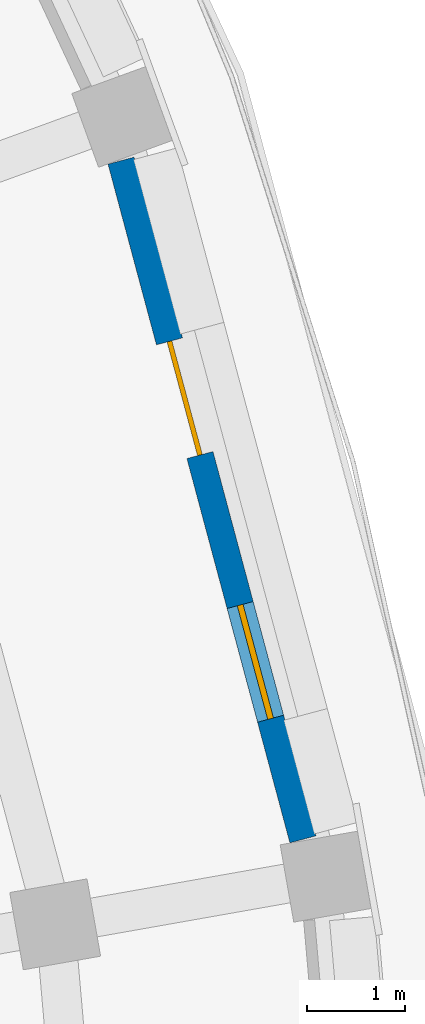
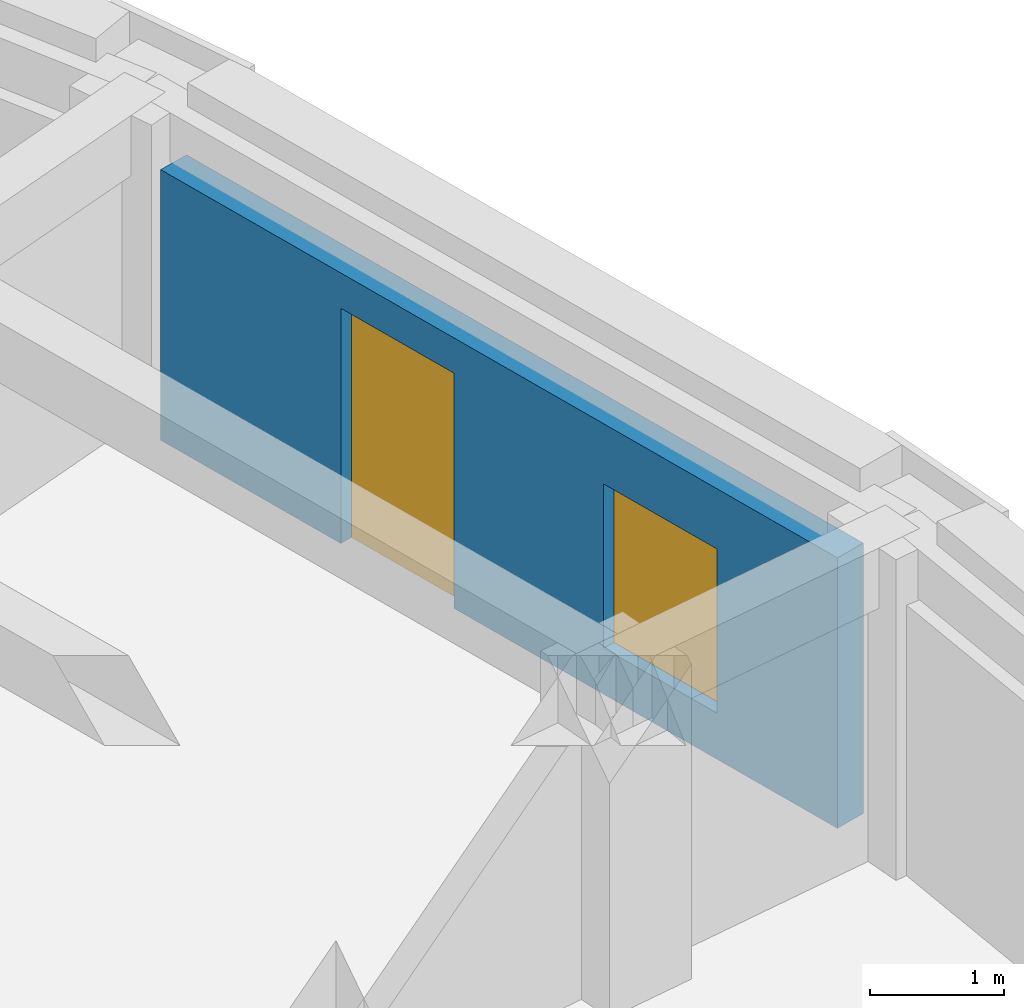
# One storey, part 34 of 54: 1 door, 1 wall, 1 window, 2 openings.
"""IFC4 building model written with IfcOpenShell, lengths in metres."""

from ifc_helpers import new_model, si_unit, direction, frame, frame_2d, origin, place, context, subcontext, project, spatial, rectangle, extrude, material, layer, layer_set, type_object, element, fill, save


model = new_model("IFC4")

# Units and contexts
model_context = context("Model", 3, precision=1e-05, world=origin(), true_north=direction((0.0, 1.0)))
body_context = subcontext(model_context, "Body", "Model", "MODEL_VIEW")
ifc_project = project(units=[si_unit("LENGTHUNIT", "METRE"), si_unit("AREAUNIT", "SQUARE_METRE"), si_unit("VOLUMEUNIT", "CUBIC_METRE"), si_unit("PLANEANGLEUNIT", "RADIAN"), si_unit("MASSUNIT", "GRAM", prefix="KILO")], contexts=[model_context])

# Site, building, storey
site_placement = place(None, origin())
site = spatial("IfcSite", under=ifc_project, at=site_placement, CompositionType="ELEMENT")
building_placement = place(site_placement, origin())
building = spatial("IfcBuilding", under=site, at=building_placement, Name="Kiranvali Square Residences", CompositionType="ELEMENT")
storey_placement = place(building_placement, frame((0.0, 0.0, 15.0)))
storey = spatial("IfcBuildingStorey", under=building, at=storey_placement, Name="L04", CompositionType="ELEMENT", Elevation=15.0)

# Wall, openings, door, window
ifc_material_1 = material(Name="Breathable lime-rendered clay brick masonry", Category="masonry")
ifc_layer = layer(ifc_material_1, 0.27490234375)
ifc_layer_set = layer_set([ifc_layer], Name="Breathable lime-rendered clay brick masonry")
wall_type = type_object("IfcWallType", Name="WL-EXT-275", PredefinedType="STANDARD", material=ifc_layer_set)
wall_placement = place(storey_placement, frame((163.015625, 103.087890625, 0.0), z_axis=(0.0, 0.0, 1.0), x_axis=(0.258826933296, -0.965923712619, 0.0)))
wall = element("IfcWall", 1, at=wall_placement, inside=storey, type_object=wall_type, Name="L04 exterior wall B-L04-CRV-07", PredefinedType="STANDARD", context=body_context, shape_type="SweptSolid", body=[
    extrude(rectangle(XDim=7.1640625, YDim=0.27490234375, at=frame_2d((3.58203125, 0.0))), origin(), (0.0, 0.0, 1.0), 2.471923828125),
])
opening_1_placement = place(wall_placement, frame((4.6904296875, 0.0, 0.422119140625)))
opening_1 = element("IfcOpeningElement", 2, at=opening_1_placement, cuts=wall, Name="Opening W-06", PredefinedType="OPENING", context=body_context, shape_type="SweptSolid", body=[
    extrude(rectangle(XDim=1.199951171875, YDim=1.5, at=frame_2d((0.60009765625, 0.75))), frame((0.0, 0.1474609375, 0.0), z_axis=(0.0, -1.0, 0.0), x_axis=(1.0, 0.0, 0.0)), (0.0, 0.0, 1.0), 0.294921875),
])
opening_2_placement = place(wall_placement, frame((1.907470703125, 0.0, 0.0)))
opening_2 = element("IfcOpeningElement", 3, at=opening_2_placement, cuts=wall, Name="Opening ED-BAL-1", PredefinedType="OPENING", context=body_context, shape_type="SweptSolid", body=[
    extrude(rectangle(XDim=1.199951171875, YDim=2.14990234375, at=frame_2d((0.60009765625, 1.074951171875))), frame((0.0, 0.1474609375, 0.0), z_axis=(0.0, -1.0, 0.0), x_axis=(1.0, 0.0, 0.0)), (0.0, 0.0, 1.0), 0.294921875),
])
ifc_material_2 = material(Name="Anodised bronze aluminium framing", Category="aluminium")
door_type = type_object("IfcDoorType", Name="DR-BAL-1200", OperationType="NOTDEFINED", PredefinedType="DOOR", material=ifc_material_2)
door_placement = place(opening_2_placement, origin())
door = element("IfcDoor", 4, at=door_placement, inside=storey, type_object=door_type, Name="L04 balcony terrace door", OperationType="SINGLE_SWING_LEFT", OverallHeight=2.14990234375, OverallWidth=1.199951171875, PredefinedType="DOOR", context=body_context, shape_type="SweptSolid", body=[
    extrude(rectangle(XDim=1.199951171875, YDim=2.14990234375, at=frame_2d((0.60009765625, 1.074951171875))), frame((0.0, 0.02490234375, 0.0), z_axis=(0.0, -1.0, 0.0), x_axis=(1.0, 0.0, 0.0)), (0.0, 0.0, 1.0), 0.050048828125),
])
fill(opening_2, door)
ifc_material_3 = material(Name="Solar-control low-e double glazing", Category="glass")
window_type = type_object("IfcWindowType", Name="WIN-RES-1200x1500", PartitioningType="SINGLE_PANEL", PredefinedType="WINDOW", material=ifc_material_3)
window_placement = place(opening_1_placement, origin())
window = element("IfcWindow", 5, at=window_placement, inside=storey, type_object=window_type, Name="L04 recessed window B-L04-CRV-07", OverallHeight=1.5, OverallWidth=1.199951171875, PartitioningType="SINGLE_PANEL", PredefinedType="WINDOW", context=body_context, shape_type="SweptSolid", body=[
    extrude(rectangle(XDim=1.199951171875, YDim=1.5, at=frame_2d((0.60009765625, 0.75))), frame((0.0, 0.030029296875, 0.0), z_axis=(0.0, -1.0, 0.0), x_axis=(1.0, 0.0, 0.0)), (0.0, 0.0, 1.0), 0.06005859375),
])
fill(opening_1, window)

save(model, "model.ifc")
